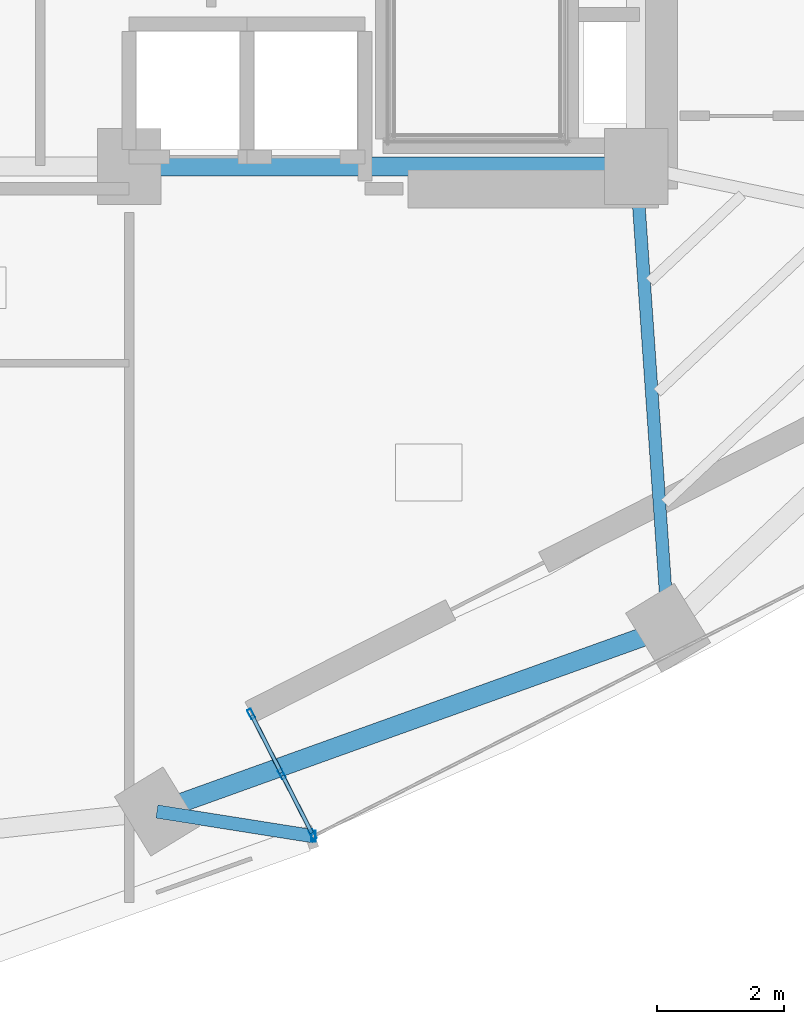
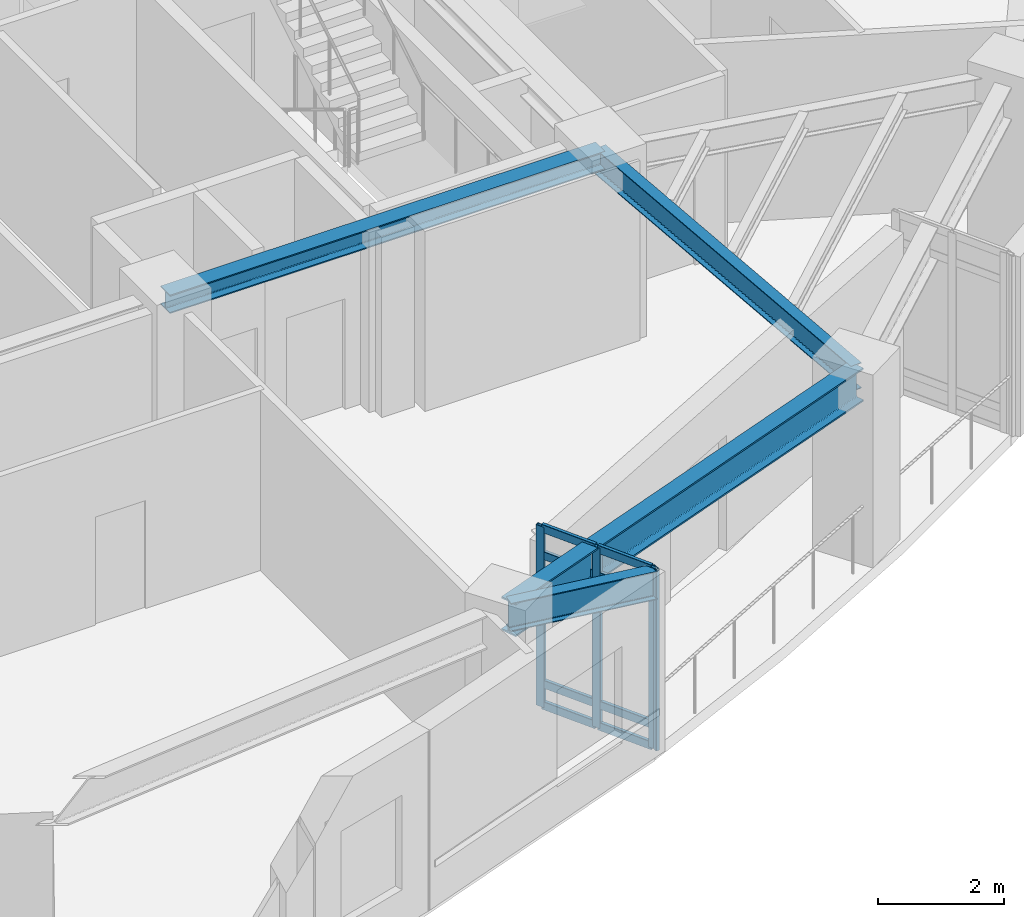
# One storey, part 2 of 12: 12 members, 4 beams, 1 element without a shape of its own.
"""IFC4 building model written with IfcOpenShell, lengths in metres."""

from ifc_helpers import new_model, si_unit, direction, frame, origin, origin_2d, place, context, subcontext, project, spatial, hollow_rectangle, i_section, extrude, material, layer, layer_set, material_profile, profile_set, type_object, element, aggregate, save


model = new_model("IFC4")

# Units and contexts
model_context = context("Model", 3, precision=1e-05, world=origin(), true_north=direction((0.0, 1.0)))
body_context = subcontext(model_context, "Body", "Model", "MODEL_VIEW")
ifc_project = project(units=[si_unit("LENGTHUNIT", "METRE"), si_unit("AREAUNIT", "SQUARE_METRE"), si_unit("VOLUMEUNIT", "CUBIC_METRE"), si_unit("PLANEANGLEUNIT", "RADIAN"), si_unit("MASSUNIT", "GRAM", prefix="KILO")], contexts=[model_context])

# Site, building, storey
site_placement = place(None, origin())
site = spatial("IfcSite", under=ifc_project, at=site_placement, CompositionType="ELEMENT")
building_placement = place(site_placement, origin())
building = spatial("IfcBuilding", under=site, at=building_placement, Name="Ndelora Gate Hotel", CompositionType="ELEMENT")
storey_placement = place(building_placement, frame((0.0, 0.0, 112.25)))
storey = spatial("IfcBuildingStorey", under=building, at=storey_placement, Name="L27", CompositionType="ELEMENT", Elevation=112.25)

# Beams
ifc_material_1 = material(Name="Steel S355", Category="steel")
ifc_material_profile_1 = material_profile(ifc_material_1, i_section(OverallWidth=0.300048828125, OverallDepth=0.360107421875, WebThickness=0.012451171875, FlangeThickness=0.0224609375, FilletRadius=0.027099609375, at=origin_2d()), Name="HEB 360")
ifc_profile_set_1 = profile_set([ifc_material_profile_1], Name="Steel S355")
beam_type_1 = type_object("IfcBeamType", Name="BM-CORE-360", PredefinedType="BEAM", material=ifc_profile_set_1)
beam_1_placement = place(storey_placement, frame((0.0, -6.60009765625, 3.320068359375), z_axis=(1.0, 0.0, 0.0), x_axis=(0.0, 1.0, 0.0)))
element("IfcBeam", 1, at=beam_1_placement, inside=storey, type_object=beam_type_1, Name="L27 Core Tie Girder CC2-CC3", PredefinedType="BEAM", context=body_context, shape_type="SweptSolid", body=[
    extrude(i_section(OverallWidth=0.300048828125, OverallDepth=0.360107421875, WebThickness=0.012451171875, FlangeThickness=0.0224609375, FilletRadius=0.027099609375, at=origin_2d()), origin(), (0.0, 0.0, 1.0), 8.0),
])
ifc_material_profile_2 = material_profile(ifc_material_1, i_section(OverallWidth=0.199951171875, OverallDepth=0.5, WebThickness=0.01025390625, FlangeThickness=0.01611328125, FilletRadius=0.02099609375, at=origin_2d()), Name="IPE 500")
ifc_profile_set_2 = profile_set([ifc_material_profile_2], Name="Steel S355")
beam_type_2 = type_object("IfcBeamType", Name="BM-RAD-500", PredefinedType="BEAM", material=ifc_profile_set_2)
beam_2_placement = place(storey_placement, frame((8.0, -6.60009765625, 3.25), z_axis=(0.069137444551, -0.997607144001, 0.0), x_axis=(0.997607144001, 0.069137444551, 0.0)))
element("IfcBeam", 2, at=beam_2_placement, inside=storey, type_object=beam_type_2, Name="L27 Radial Floor Girder 7", PredefinedType="BEAM", context=body_context, shape_type="SweptSolid", body=[
    extrude(i_section(OverallWidth=0.199951171875, OverallDepth=0.5, WebThickness=0.01025390625, FlangeThickness=0.01611328125, FilletRadius=0.02099609375, at=origin_2d()), origin(), (0.0, 0.0, 1.0), 7.295654296875),
])
ifc_material_profile_3 = material_profile(ifc_material_1, i_section(OverallWidth=0.2099609375, OverallDepth=0.550048828125, WebThickness=0.010986328125, FlangeThickness=0.01708984375, FilletRadius=0.02392578125, at=origin_2d()), Name="IPE 550")
ifc_profile_set_3 = profile_set([ifc_material_profile_3], Name="Steel S355")
beam_type_3 = type_object("IfcBeamType", Name="BM-RAD-550", PredefinedType="BEAM", material=ifc_profile_set_3)
beam_3_placement = place(storey_placement, frame((0.439208984375, -16.7744140625, 3.22509765625), z_axis=(0.987718613868, -0.156243207272, 0.0), x_axis=(0.156243207272, 0.987718613868, 0.0)))
element("IfcBeam", 3, at=beam_3_placement, inside=storey, type_object=beam_type_3, Name="L27 Sky-Garden Loggia Column Bracket 1", PredefinedType="BEAM", context=body_context, shape_type="SweptSolid", body=[
    extrude(i_section(OverallWidth=0.2099609375, OverallDepth=0.550048828125, WebThickness=0.010986328125, FlangeThickness=0.01708984375, FilletRadius=0.02392578125, at=origin_2d()), origin(), (0.0, 0.0, 1.0), 2.501708984375),
])
ifc_material_profile_4 = material_profile(ifc_material_1, i_section(OverallWidth=0.300048828125, OverallDepth=0.64990234375, WebThickness=0.01611328125, FlangeThickness=0.031005859375, FilletRadius=0.027099609375, at=origin_2d()), Name="HEB 650")
ifc_profile_set_4 = profile_set([ifc_material_profile_4], Name="Steel S355")
beam_type_4 = type_object("IfcBeamType", Name="BM-RING-650", PredefinedType="SPANDREL", material=ifc_profile_set_4)
beam_4_placement = place(storey_placement, frame((0.439208984375, -16.7744140625, 3.175048828125), z_axis=(0.941155870835, 0.337972819607, 0.0), x_axis=(-0.337972819607, 0.941155870835, 0.0)))
element("IfcBeam", 4, at=beam_4_placement, inside=storey, type_object=beam_type_4, Name="L27 Perimeter Spandrel Girder 6", PredefinedType="SPANDREL", context=body_context, shape_type="SweptSolid", body=[
    extrude(i_section(OverallWidth=0.300048828125, OverallDepth=0.64990234375, WebThickness=0.01611328125, FlangeThickness=0.031005859375, FilletRadius=0.027099609375, at=origin_2d()), origin(), (0.0, 0.0, 1.0), 8.5693359375),
])

# Curtain wall, members
ifc_material_2 = material(Name="Bronze Anodised Unitised Aluminium and Low-E Glass", Category="aluminium")
ifc_layer = layer(ifc_material_2, 0.199951171875)
ifc_layer_set = layer_set([ifc_layer], Name="Bronze Anodised Unitised Aluminium and Low-E Glass")
curtain_wall_type = type_object("IfcCurtainWallType", Name="CW-SYS-3", PredefinedType="NOTDEFINED", material=ifc_layer_set)
curtain_wall_placement = place(storey_placement, origin())
curtain_wall = element("IfcCurtainWall", 5, at=curtain_wall_placement, inside=storey, type_object=curtain_wall_type, Name="L27 Sky-Garden Loggia Side Curtain Wall CW3-1", PredefinedType="NOTDEFINED")
ifc_material_3 = material(Name="Bronze Anodised Aluminium 6063-T6", Category="aluminium")
ifc_material_profile_5 = material_profile(ifc_material_3, hollow_rectangle(XDim=0.06494140625, YDim=0.159912109375, WallThickness=0.00390625, InnerFilletRadius=0.00390625, OuterFilletRadius=0.008056640625, at=origin_2d()), Name="ALU 160x65x4")
ifc_profile_set_5 = profile_set([ifc_material_profile_5], Name="Bronze Anodised Aluminium 6063-T6")
member_type_1 = type_object("IfcMemberType", Name="MB-CW-MUL150", PredefinedType="MULLION", material=ifc_profile_set_5)
member_1_placement = place(storey_placement, frame((1.926025390625, -15.234130859375, -0.00390625), z_axis=(0.0, 0.0, 1.0), x_axis=(0.891001336507, 0.454000680995, 0.0)))
member_1 = element("IfcMember", 6, at=member_1_placement, type_object=member_type_1, Name="CW3 mullion 1", PredefinedType="MULLION", context=body_context, shape_type="SweptSolid", body=[
    extrude(hollow_rectangle(XDim=0.06494140625, YDim=0.159912109375, WallThickness=0.00390625, InnerFilletRadius=0.00390625, OuterFilletRadius=0.008056640625, at=origin_2d()), origin(), (0.0, 0.0, 1.0), 3.5078125),
])
member_2_placement = place(storey_placement, frame((2.41064453125, -16.185302734375, -0.00390625), z_axis=(0.0, 0.0, 1.0), x_axis=(0.891001336507, 0.454000680995, 0.0)))
member_2 = element("IfcMember", 7, at=member_2_placement, type_object=member_type_1, Name="CW3 mullion 2", PredefinedType="MULLION", context=body_context, shape_type="SweptSolid", body=[
    extrude(hollow_rectangle(XDim=0.06494140625, YDim=0.159912109375, WallThickness=0.00390625, InnerFilletRadius=0.00390625, OuterFilletRadius=0.008056640625, at=origin_2d()), origin(), (0.0, 0.0, 1.0), 3.5078125),
])
member_3_placement = place(storey_placement, frame((2.895263671875, -17.136474609375, -0.00390625), z_axis=(0.0, 0.0, 1.0), x_axis=(0.891001336507, 0.454000680995, 0.0)))
member_3 = element("IfcMember", 8, at=member_3_placement, type_object=member_type_1, Name="CW3 mullion 3", PredefinedType="MULLION", context=body_context, shape_type="SweptSolid", body=[
    extrude(hollow_rectangle(XDim=0.06494140625, YDim=0.159912109375, WallThickness=0.00390625, InnerFilletRadius=0.00390625, OuterFilletRadius=0.008056640625, at=origin_2d()), origin(), (0.0, 0.0, 1.0), 3.5078125),
])
ifc_material_profile_6 = material_profile(ifc_material_3, hollow_rectangle(XDim=0.070068359375, YDim=0.179931640625, WallThickness=0.0048828125, InnerFilletRadius=0.0048828125, OuterFilletRadius=0.010009765625, at=origin_2d()), Name="ALU 180x70x5")
ifc_profile_set_6 = profile_set([ifc_material_profile_6], Name="Bronze Anodised Aluminium 6063-T6")
member_type_2 = type_object("IfcMemberType", Name="MB-CW-MUL180", PredefinedType="MULLION", material=ifc_profile_set_6)
member_4_placement = place(storey_placement, frame((2.91015625, -17.165283203125, 0.0), z_axis=(0.0, 0.0, 1.0), x_axis=(1.0, 0.0, 0.0)))
member_4 = element("IfcMember", 9, at=member_4_placement, type_object=member_type_2, Name="L27 Sky-Garden Loggia Corner Mullion Post 1", PredefinedType="MULLION", context=body_context, shape_type="SweptSolid", body=[
    extrude(hollow_rectangle(XDim=0.070068359375, YDim=0.179931640625, WallThickness=0.0048828125, InnerFilletRadius=0.0048828125, OuterFilletRadius=0.010009765625, at=origin_2d()), origin(), (0.0, 0.0, 1.0), 3.5),
])
ifc_material_profile_7 = material_profile(ifc_material_3, hollow_rectangle(XDim=0.06494140625, YDim=0.159912109375, WallThickness=0.00390625, InnerFilletRadius=0.00390625, OuterFilletRadius=0.008056640625, at=origin_2d()), Name="ALU 160x65x4")
ifc_profile_set_7 = profile_set([ifc_material_profile_7], Name="Bronze Anodised Aluminium 6063-T6")
member_type_3 = type_object("IfcMemberType", Name="MB-CW-TRN150", PredefinedType="USERDEFINED", material=ifc_profile_set_7)
member_5_placement = place(storey_placement, frame((1.93798828125, -15.2578125, 0.032470703125), z_axis=(0.454131264886, -0.890934786756, 0.0), x_axis=(0.890934786756, 0.454131264886, 0.0)))
member_5 = element("IfcMember", 10, at=member_5_placement, type_object=member_type_3, Name="CW3 transom 1.1", ObjectType="TRANSOM", PredefinedType="USERDEFINED", context=body_context, shape_type="SweptSolid", body=[
    extrude(hollow_rectangle(XDim=0.06494140625, YDim=0.159912109375, WallThickness=0.00390625, InnerFilletRadius=0.00390625, OuterFilletRadius=0.008056640625, at=origin_2d()), origin(), (0.0, 0.0, 1.0), 1.014404296875),
])
member_6_placement = place(storey_placement, frame((1.93798828125, -15.2578125, 0.449951171875), z_axis=(0.454131264886, -0.890934786756, 0.0), x_axis=(0.890934786756, 0.454131264886, 0.0)))
member_6 = element("IfcMember", 11, at=member_6_placement, type_object=member_type_3, Name="CW3 transom 1.2", ObjectType="TRANSOM", PredefinedType="USERDEFINED", context=body_context, shape_type="SweptSolid", body=[
    extrude(hollow_rectangle(XDim=0.06494140625, YDim=0.159912109375, WallThickness=0.00390625, InnerFilletRadius=0.00390625, OuterFilletRadius=0.008056640625, at=origin_2d()), origin(), (0.0, 0.0, 1.0), 1.014404296875),
])
member_7_placement = place(storey_placement, frame((1.93798828125, -15.2578125, 2.949951171875), z_axis=(0.454131264886, -0.890934786756, 0.0), x_axis=(0.890934786756, 0.454131264886, 0.0)))
member_7 = element("IfcMember", 12, at=member_7_placement, type_object=member_type_3, Name="CW3 transom 1.3", ObjectType="TRANSOM", PredefinedType="USERDEFINED", context=body_context, shape_type="SweptSolid", body=[
    extrude(hollow_rectangle(XDim=0.06494140625, YDim=0.159912109375, WallThickness=0.00390625, InnerFilletRadius=0.00390625, OuterFilletRadius=0.008056640625, at=origin_2d()), origin(), (0.0, 0.0, 1.0), 1.014404296875),
])
member_8_placement = place(storey_placement, frame((1.93798828125, -15.2578125, 3.467529296875), z_axis=(0.454131264886, -0.890934786756, 0.0), x_axis=(0.890934786756, 0.454131264886, 0.0)))
member_8 = element("IfcMember", 13, at=member_8_placement, type_object=member_type_3, Name="CW3 transom 1.4", ObjectType="TRANSOM", PredefinedType="USERDEFINED", context=body_context, shape_type="SweptSolid", body=[
    extrude(hollow_rectangle(XDim=0.06494140625, YDim=0.159912109375, WallThickness=0.00390625, InnerFilletRadius=0.00390625, OuterFilletRadius=0.008056640625, at=origin_2d()), origin(), (0.0, 0.0, 1.0), 1.014404296875),
])
member_9_placement = place(storey_placement, frame((2.4228515625, -16.208984375, 0.032470703125), z_axis=(0.453940203675, -0.891032149525, 0.0), x_axis=(0.891032149525, 0.453940203675, 0.0)))
member_9 = element("IfcMember", 14, at=member_9_placement, type_object=member_type_3, Name="CW3 transom 2.1", ObjectType="TRANSOM", PredefinedType="USERDEFINED", context=body_context, shape_type="SweptSolid", body=[
    extrude(hollow_rectangle(XDim=0.06494140625, YDim=0.159912109375, WallThickness=0.00390625, InnerFilletRadius=0.00390625, OuterFilletRadius=0.008056640625, at=origin_2d()), origin(), (0.0, 0.0, 1.0), 1.014404296875),
])
member_10_placement = place(storey_placement, frame((2.4228515625, -16.208984375, 0.449951171875), z_axis=(0.453940203675, -0.891032149525, 0.0), x_axis=(0.891032149525, 0.453940203675, 0.0)))
member_10 = element("IfcMember", 15, at=member_10_placement, type_object=member_type_3, Name="CW3 transom 2.2", ObjectType="TRANSOM", PredefinedType="USERDEFINED", context=body_context, shape_type="SweptSolid", body=[
    extrude(hollow_rectangle(XDim=0.06494140625, YDim=0.159912109375, WallThickness=0.00390625, InnerFilletRadius=0.00390625, OuterFilletRadius=0.008056640625, at=origin_2d()), origin(), (0.0, 0.0, 1.0), 1.014404296875),
])
member_11_placement = place(storey_placement, frame((2.4228515625, -16.208984375, 2.949951171875), z_axis=(0.453940203675, -0.891032149525, 0.0), x_axis=(0.891032149525, 0.453940203675, 0.0)))
member_11 = element("IfcMember", 16, at=member_11_placement, type_object=member_type_3, Name="CW3 transom 2.3", ObjectType="TRANSOM", PredefinedType="USERDEFINED", context=body_context, shape_type="SweptSolid", body=[
    extrude(hollow_rectangle(XDim=0.06494140625, YDim=0.159912109375, WallThickness=0.00390625, InnerFilletRadius=0.00390625, OuterFilletRadius=0.008056640625, at=origin_2d()), origin(), (0.0, 0.0, 1.0), 1.014404296875),
])
member_12_placement = place(storey_placement, frame((2.4228515625, -16.208984375, 3.467529296875), z_axis=(0.453940203675, -0.891032149525, 0.0), x_axis=(0.891032149525, 0.453940203675, 0.0)))
member_12 = element("IfcMember", 17, at=member_12_placement, type_object=member_type_3, Name="CW3 transom 2.4", ObjectType="TRANSOM", PredefinedType="USERDEFINED", context=body_context, shape_type="SweptSolid", body=[
    extrude(hollow_rectangle(XDim=0.06494140625, YDim=0.159912109375, WallThickness=0.00390625, InnerFilletRadius=0.00390625, OuterFilletRadius=0.008056640625, at=origin_2d()), origin(), (0.0, 0.0, 1.0), 1.014404296875),
])
aggregate(curtain_wall, [member_1, member_2, member_3, member_5, member_6, member_7, member_8, member_9, member_10, member_11, member_12, member_4])

save(model, "model.ifc")
